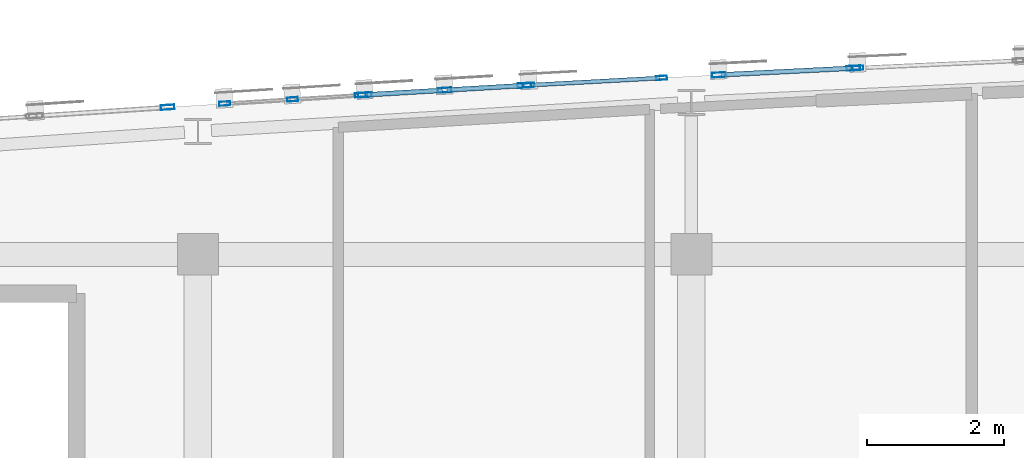
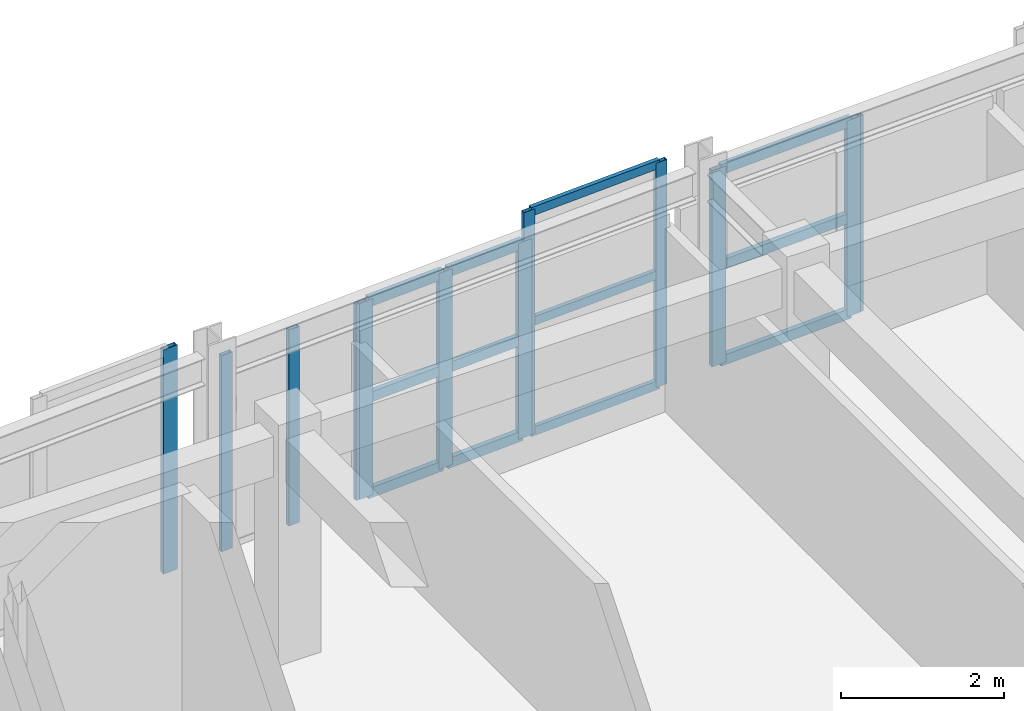
# One storey, part 13 of 45: 24 members, 6 elements without a shape of their own.
"""IFC4 building model written with IfcOpenShell, lengths in metres."""

from ifc_helpers import new_model, si_unit, direction, frame, origin, origin_2d, place, context, subcontext, project, spatial, hollow_rectangle, extrude, material, layer, layer_set, material_profile, profile_set, type_object, element, aggregate, save


model = new_model("IFC4")

# Units and contexts
model_context = context("Model", 3, precision=1e-05, world=origin(), true_north=direction((0.0, 1.0)))
body_context = subcontext(model_context, "Body", "Model", "MODEL_VIEW")
ifc_project = project(units=[si_unit("LENGTHUNIT", "METRE"), si_unit("AREAUNIT", "SQUARE_METRE"), si_unit("VOLUMEUNIT", "CUBIC_METRE"), si_unit("PLANEANGLEUNIT", "RADIAN"), si_unit("MASSUNIT", "GRAM", prefix="KILO")], contexts=[model_context])

# Site, building, storey
site_placement = place(None, origin())
site = spatial("IfcSite", under=ifc_project, at=site_placement, CompositionType="ELEMENT")
building_placement = place(site_placement, origin())
building = spatial("IfcBuilding", under=site, at=building_placement, Name="Carrowvane Square Congress Hotel", CompositionType="ELEMENT")
storey_placement = place(building_placement, frame((0.0, 0.0, 33.60009765625)))
storey = spatial("IfcBuildingStorey", under=building, at=storey_placement, Name="L08", CompositionType="ELEMENT", Elevation=33.60009765625)

# Curtain wall, members
ifc_material_1 = material(Name="Anodised aluminium", Category="aluminium")
ifc_layer_1 = layer(ifc_material_1, 0.23388671875)
ifc_layer_set_1 = layer_set([ifc_layer_1], Name="Anodised aluminium")
curtain_wall_type_1 = type_object("IfcCurtainWallType", Name="CW-SYS-7", PredefinedType="NOTDEFINED", material=ifc_layer_set_1)
curtain_wall_1_placement = place(storey_placement, origin())
curtain_wall_1 = element("IfcCurtainWall", 1, at=curtain_wall_1_placement, inside=storey, type_object=curtain_wall_type_1, Name="L08 unitised curtain wall 470", PredefinedType="NOTDEFINED")
ifc_material_2 = material(Name="Anodised aluminium", Category="aluminium")
ifc_material_profile_1 = material_profile(ifc_material_2, hollow_rectangle(XDim=0.06005859375, YDim=0.159912109375, WallThickness=0.00390625, at=origin_2d()), Name="CW-ML 60x160x4")
ifc_profile_set_1 = profile_set([ifc_material_profile_1], Name="Anodised aluminium")
member_type_1 = type_object("IfcMemberType", Name="CW-MUL-1", PredefinedType="MULLION", material=ifc_profile_set_1)
member_1_placement = place(storey_placement, frame((69.58984375, 115.5986328125, 0.0), z_axis=(0.0, 0.0, 1.0), x_axis=(-0.062397474952, 0.998051378998, 0.0)))
member_1 = element("IfcMember", 2, at=member_1_placement, type_object=member_type_1, Name="CW-7 mullion 1", PredefinedType="MULLION", context=body_context, shape_type="SweptSolid", body=[
    extrude(hollow_rectangle(XDim=0.06005859375, YDim=0.159912109375, WallThickness=0.00390625, at=origin_2d()), origin(), (0.0, 0.0, 1.0), 2.935546875),
])
member_2_placement = place(storey_placement, frame((70.580078125, 115.66064453125, 0.0), z_axis=(0.0, 0.0, 1.0), x_axis=(-0.062397474952, 0.998051378998, 0.0)))
member_2 = element("IfcMember", 3, at=member_2_placement, type_object=member_type_1, Name="CW-7 mullion 2", PredefinedType="MULLION", context=body_context, shape_type="SweptSolid", body=[
    extrude(hollow_rectangle(XDim=0.06005859375, YDim=0.159912109375, WallThickness=0.00390625, at=origin_2d()), origin(), (0.0, 0.0, 1.0), 2.935546875),
])
member_3_placement = place(storey_placement, frame((71.570068359375, 115.722412109375, 0.0), z_axis=(0.0, 0.0, 1.0), x_axis=(-0.062397474952, 0.998051378998, 0.0)))
member_3 = element("IfcMember", 4, at=member_3_placement, type_object=member_type_1, Name="CW-7 mullion 3", PredefinedType="MULLION", context=body_context, shape_type="SweptSolid", body=[
    extrude(hollow_rectangle(XDim=0.06005859375, YDim=0.159912109375, WallThickness=0.00390625, at=origin_2d()), origin(), (0.0, 0.0, 1.0), 2.935546875),
])
aggregate(curtain_wall_1, [member_1, member_2, member_3])

ifc_material_3 = material(Name="Anodised aluminium", Category="aluminium")
ifc_layer_2 = layer(ifc_material_3, 0.162109375)
ifc_layer_set_2 = layer_set([ifc_layer_2], Name="Anodised aluminium")
curtain_wall_type_2 = type_object("IfcCurtainWallType", Name="CW-SYS-1", PredefinedType="NOTDEFINED", material=ifc_layer_set_2)
curtain_wall_2_placement = place(storey_placement, origin())
curtain_wall_2 = element("IfcCurtainWall", 5, at=curtain_wall_2_placement, inside=storey, type_object=curtain_wall_type_2, Name="L08 unitised curtain wall 472", PredefinedType="NOTDEFINED")
member_4_placement = place(storey_placement, frame((74.030029296875, 115.867431640625, 0.0), z_axis=(0.0, 0.0, 1.0), x_axis=(-0.054815980317, 0.998496473856, 0.0)))
member_4 = element("IfcMember", 6, at=member_4_placement, type_object=member_type_1, Name="CW-1 mullion 1", PredefinedType="MULLION", context=body_context, shape_type="SweptSolid", body=[
    extrude(hollow_rectangle(XDim=0.06005859375, YDim=0.159912109375, WallThickness=0.00390625, at=origin_2d()), origin(), (0.0, 0.0, 1.0), 3.35986328125),
])
member_5_placement = place(storey_placement, frame((75.965576171875, 115.9736328125, 0.0), z_axis=(0.0, 0.0, 1.0), x_axis=(-0.054815980317, 0.998496473856, 0.0)))
member_5 = element("IfcMember", 7, at=member_5_placement, type_object=member_type_1, Name="CW-1 mullion 2", PredefinedType="MULLION", context=body_context, shape_type="SweptSolid", body=[
    extrude(hollow_rectangle(XDim=0.06005859375, YDim=0.159912109375, WallThickness=0.00390625, at=origin_2d()), origin(), (0.0, 0.0, 1.0), 3.35986328125),
])

# Curtain wall, member
ifc_material_4 = material(Name="Anodised aluminium", Category="aluminium")
ifc_layer_3 = layer(ifc_material_4, 0.18603515625)
ifc_layer_set_3 = layer_set([ifc_layer_3], Name="Anodised aluminium")
curtain_wall_type_3 = type_object("IfcCurtainWallType", Name="CW-SYS-3", PredefinedType="NOTDEFINED", material=ifc_layer_set_3)
curtain_wall_3_placement = place(storey_placement, origin())
curtain_wall_3 = element("IfcCurtainWall", 8, at=curtain_wall_3_placement, inside=storey, type_object=curtain_wall_type_3, Name="L08 unitised curtain wall 474", PredefinedType="NOTDEFINED")
member_6_placement = place(storey_placement, frame((78.830078125, 116.119873046875, 0.0), z_axis=(0.0, 0.0, 1.0), x_axis=(-0.045411059449, 0.998968385726, 0.0)))
member_6 = element("IfcMember", 9, at=member_6_placement, type_object=member_type_1, Name="CW-3 mullion 1", PredefinedType="MULLION", context=body_context, shape_type="SweptSolid", body=[
    extrude(hollow_rectangle(XDim=0.06005859375, YDim=0.159912109375, WallThickness=0.00390625, at=origin_2d()), origin(), (0.0, 0.0, 1.0), 2.935546875),
])
aggregate(curtain_wall_3, [member_6])

ifc_material_5 = material(Name="Anodised aluminium", Category="aluminium")
ifc_layer_4 = layer(ifc_material_5, 0.221923828125)
ifc_layer_set_4 = layer_set([ifc_layer_4], Name="Anodised aluminium")
curtain_wall_type_4 = type_object("IfcCurtainWallType", Name="CW-SYS-6", PredefinedType="NOTDEFINED", material=ifc_layer_set_4)
curtain_wall_4_placement = place(storey_placement, origin())
curtain_wall_4 = element("IfcCurtainWall", 10, at=curtain_wall_4_placement, inside=storey, type_object=curtain_wall_type_4, Name="L08 unitised curtain wall 469", PredefinedType="NOTDEFINED")
ifc_material_6 = material(Name="Anodised aluminium", Category="aluminium")
ifc_material_profile_2 = material_profile(ifc_material_6, hollow_rectangle(XDim=0.070068359375, YDim=0.199951171875, WallThickness=0.0048828125, at=origin_2d()), Name="CW-ML 70x200x5")
ifc_profile_set_2 = profile_set([ifc_material_profile_2], Name="Anodised aluminium")
member_type_2 = type_object("IfcMemberType", Name="CW-MUL-2", PredefinedType="MULLION", material=ifc_profile_set_2)
member_7_placement = place(storey_placement, frame((68.756591796875, 115.545166015625, 0.0), z_axis=(0.0, 0.0, 1.0), x_axis=(-0.065412223074, 0.997858327155, 0.0)))
member_7 = element("IfcMember", 11, at=member_7_placement, type_object=member_type_2, Name="CW-6 mullion 2", PredefinedType="MULLION", context=body_context, shape_type="SweptSolid", body=[
    extrude(hollow_rectangle(XDim=0.070068359375, YDim=0.199951171875, WallThickness=0.0048828125, at=origin_2d()), origin(), (0.0, 0.0, 1.0), 3.35986328125),
])
aggregate(curtain_wall_4, [member_7])

# Curtain wall, members
ifc_material_7 = material(Name="Anodised aluminium", Category="aluminium")
ifc_layer_5 = layer(ifc_material_7, 0.24609375)
ifc_layer_set_5 = layer_set([ifc_layer_5], Name="Anodised aluminium")
curtain_wall_type_5 = type_object("IfcCurtainWallType", Name="CW-SYS-8", PredefinedType="NOTDEFINED", material=ifc_layer_set_5)
curtain_wall_5_placement = place(storey_placement, origin())
curtain_wall_5 = element("IfcCurtainWall", 12, at=curtain_wall_5_placement, inside=storey, type_object=curtain_wall_type_5, Name="L08 unitised curtain wall 471", PredefinedType="NOTDEFINED")
member_8_placement = place(storey_placement, frame((71.635009765625, 115.726318359375, 0.0), z_axis=(0.0, 0.0, 1.0), x_axis=(-0.058851249486, 0.998266763162, 0.0)))
member_8 = element("IfcMember", 13, at=member_8_placement, type_object=member_type_2, Name="CW-8 mullion 1", PredefinedType="MULLION", context=body_context, shape_type="SweptSolid", body=[
    extrude(hollow_rectangle(XDim=0.070068359375, YDim=0.199951171875, WallThickness=0.0048828125, at=origin_2d()), origin(), (0.0, 0.0, 1.0), 2.935546875),
])
member_9_placement = place(storey_placement, frame((72.800048828125, 115.795166015625, 0.0), z_axis=(0.0, 0.0, 1.0), x_axis=(-0.058851249486, 0.998266763162, 0.0)))
member_9 = element("IfcMember", 14, at=member_9_placement, type_object=member_type_2, Name="CW-8 mullion 2", PredefinedType="MULLION", context=body_context, shape_type="SweptSolid", body=[
    extrude(hollow_rectangle(XDim=0.070068359375, YDim=0.199951171875, WallThickness=0.0048828125, at=origin_2d()), origin(), (0.0, 0.0, 1.0), 2.935546875),
])
member_10_placement = place(storey_placement, frame((73.965087890625, 115.86376953125, 0.0), z_axis=(0.0, 0.0, 1.0), x_axis=(-0.058851249486, 0.998266763162, 0.0)))
member_10 = element("IfcMember", 15, at=member_10_placement, type_object=member_type_2, Name="CW-8 mullion 3", PredefinedType="MULLION", context=body_context, shape_type="SweptSolid", body=[
    extrude(hollow_rectangle(XDim=0.070068359375, YDim=0.199951171875, WallThickness=0.0048828125, at=origin_2d()), origin(), (0.0, 0.0, 1.0), 2.935546875),
])

ifc_material_8 = material(Name="Anodised aluminium", Category="aluminium")
ifc_layer_6 = layer(ifc_material_8, 0.174072265625)
ifc_layer_set_6 = layer_set([ifc_layer_6], Name="Anodised aluminium")
curtain_wall_type_6 = type_object("IfcCurtainWallType", Name="CW-SYS-2", PredefinedType="NOTDEFINED", material=ifc_layer_set_6)
curtain_wall_6_placement = place(storey_placement, origin())
curtain_wall_6 = element("IfcCurtainWall", 16, at=curtain_wall_6_placement, inside=storey, type_object=curtain_wall_type_6, Name="L08 unitised curtain wall 473", PredefinedType="NOTDEFINED")
member_11_placement = place(storey_placement, frame((76.799560546875, 116.017822265625, 0.0), z_axis=(0.0, 0.0, 1.0), x_axis=(-0.050323791596, 0.998732955299, 0.0)))
member_11 = element("IfcMember", 17, at=member_11_placement, type_object=member_type_2, Name="CW-2 mullion 1", PredefinedType="MULLION", context=body_context, shape_type="SweptSolid", body=[
    extrude(hollow_rectangle(XDim=0.070068359375, YDim=0.199951171875, WallThickness=0.0048828125, at=origin_2d()), origin(), (0.0, 0.0, 1.0), 2.935546875),
])
member_12_placement = place(storey_placement, frame((78.764892578125, 116.11669921875, 0.0), z_axis=(0.0, 0.0, 1.0), x_axis=(-0.050323791596, 0.998732955299, 0.0)))
member_12 = element("IfcMember", 18, at=member_12_placement, type_object=member_type_2, Name="CW-2 mullion 2", PredefinedType="MULLION", context=body_context, shape_type="SweptSolid", body=[
    extrude(hollow_rectangle(XDim=0.070068359375, YDim=0.199951171875, WallThickness=0.0048828125, at=origin_2d()), origin(), (0.0, 0.0, 1.0), 2.935546875),
])

# Member
ifc_material_9 = material(Name="Anodised aluminium", Category="aluminium")
ifc_material_profile_3 = material_profile(ifc_material_9, hollow_rectangle(XDim=0.06005859375, YDim=0.1298828125, WallThickness=0.00390625, at=origin_2d()), Name="CW-TR 60x130x4")
ifc_profile_set_3 = profile_set([ifc_material_profile_3], Name="Anodised aluminium")
member_type_3 = type_object("IfcMemberType", Name="CW-TRN-1", PredefinedType="USERDEFINED", material=ifc_profile_set_3)
member_13_placement = place(storey_placement, frame((74.059814453125, 115.869140625, 0.02978515625), z_axis=(0.99849494655, 0.054843793758, 0.0), x_axis=(-0.054843793758, 0.99849494655, 0.0)))
member_13 = element("IfcMember", 19, at=member_13_placement, type_object=member_type_3, Name="CW-1 transom 1.1", ObjectType="TRANSOM", PredefinedType="USERDEFINED", context=body_context, shape_type="SweptSolid", body=[
    extrude(hollow_rectangle(XDim=0.06005859375, YDim=0.1298828125, WallThickness=0.00390625, at=origin_2d()), origin(), (0.0, 0.0, 1.0), 1.878662109375),
])

member_14_placement = place(storey_placement, frame((74.059814453125, 115.869140625, 1.679931640625), z_axis=(0.99849494655, 0.054843793758, 0.0), x_axis=(-0.054843793758, 0.99849494655, 0.0)))
member_14 = element("IfcMember", 20, at=member_14_placement, type_object=member_type_3, Name="CW-1 transom 1.2", ObjectType="TRANSOM", PredefinedType="USERDEFINED", context=body_context, shape_type="SweptSolid", body=[
    extrude(hollow_rectangle(XDim=0.06005859375, YDim=0.1298828125, WallThickness=0.00390625, at=origin_2d()), origin(), (0.0, 0.0, 1.0), 1.878662109375),
])

member_15_placement = place(storey_placement, frame((74.059814453125, 115.869140625, 3.329833984375), z_axis=(0.99849494655, 0.054843793758, 0.0), x_axis=(-0.054843793758, 0.99849494655, 0.0)))
member_15 = element("IfcMember", 21, at=member_15_placement, type_object=member_type_3, Name="CW-1 transom 1.3", ObjectType="TRANSOM", PredefinedType="USERDEFINED", context=body_context, shape_type="SweptSolid", body=[
    extrude(hollow_rectangle(XDim=0.06005859375, YDim=0.1298828125, WallThickness=0.00390625, at=origin_2d()), origin(), (0.0, 0.0, 1.0), 1.878662109375),
])

aggregate(curtain_wall_2, [member_4, member_5, member_13, member_14, member_15])

ifc_material_10 = material(Name="Anodised aluminium", Category="aluminium")
ifc_material_profile_4 = material_profile(ifc_material_10, hollow_rectangle(XDim=0.070068359375, YDim=0.14990234375, WallThickness=0.0048828125, at=origin_2d()), Name="CW-TR 70x150x5")
ifc_profile_set_4 = profile_set([ifc_material_profile_4], Name="Anodised aluminium")
member_type_4 = type_object("IfcMemberType", Name="CW-TRN-2", PredefinedType="USERDEFINED", material=ifc_profile_set_4)
member_16_placement = place(storey_placement, frame((71.669921875, 115.728515625, 0.034912109375), z_axis=(0.998272838139, 0.058748111741, 0.0), x_axis=(-0.058748111741, 0.998272838139, 0.0)))
member_16 = element("IfcMember", 22, at=member_16_placement, type_object=member_type_4, Name="CW-8 transom 1.1", ObjectType="TRANSOM", PredefinedType="USERDEFINED", context=body_context, shape_type="SweptSolid", body=[
    extrude(hollow_rectangle(XDim=0.070068359375, YDim=0.14990234375, WallThickness=0.0048828125, at=origin_2d()), origin(), (0.0, 0.0, 1.0), 1.09716796875),
])

member_17_placement = place(storey_placement, frame((71.669921875, 115.728515625, 1.4677734375), z_axis=(0.998272838139, 0.058748111741, 0.0), x_axis=(-0.058748111741, 0.998272838139, 0.0)))
member_17 = element("IfcMember", 23, at=member_17_placement, type_object=member_type_4, Name="CW-8 transom 1.2", ObjectType="TRANSOM", PredefinedType="USERDEFINED", context=body_context, shape_type="SweptSolid", body=[
    extrude(hollow_rectangle(XDim=0.070068359375, YDim=0.14990234375, WallThickness=0.0048828125, at=origin_2d()), origin(), (0.0, 0.0, 1.0), 1.09716796875),
])

member_18_placement = place(storey_placement, frame((71.669921875, 115.728515625, 2.900390625), z_axis=(0.998272838139, 0.058748111741, 0.0), x_axis=(-0.058748111741, 0.998272838139, 0.0)))
member_18 = element("IfcMember", 24, at=member_18_placement, type_object=member_type_4, Name="CW-8 transom 1.3", ObjectType="TRANSOM", PredefinedType="USERDEFINED", context=body_context, shape_type="SweptSolid", body=[
    extrude(hollow_rectangle(XDim=0.070068359375, YDim=0.14990234375, WallThickness=0.0048828125, at=origin_2d()), origin(), (0.0, 0.0, 1.0), 1.09716796875),
])

member_19_placement = place(storey_placement, frame((72.8349609375, 115.797119140625, 0.034912109375), z_axis=(0.998259762999, 0.058969870084, 0.0), x_axis=(-0.058969870084, 0.998259762999, 0.0)))
member_19 = element("IfcMember", 25, at=member_19_placement, type_object=member_type_4, Name="CW-8 transom 2.1", ObjectType="TRANSOM", PredefinedType="USERDEFINED", context=body_context, shape_type="SweptSolid", body=[
    extrude(hollow_rectangle(XDim=0.070068359375, YDim=0.14990234375, WallThickness=0.0048828125, at=origin_2d()), origin(), (0.0, 0.0, 1.0), 1.09716796875),
])

member_20_placement = place(storey_placement, frame((72.8349609375, 115.797119140625, 1.4677734375), z_axis=(0.998259762999, 0.058969870084, 0.0), x_axis=(-0.058969870084, 0.998259762999, 0.0)))
member_20 = element("IfcMember", 26, at=member_20_placement, type_object=member_type_4, Name="CW-8 transom 2.2", ObjectType="TRANSOM", PredefinedType="USERDEFINED", context=body_context, shape_type="SweptSolid", body=[
    extrude(hollow_rectangle(XDim=0.070068359375, YDim=0.14990234375, WallThickness=0.0048828125, at=origin_2d()), origin(), (0.0, 0.0, 1.0), 1.09716796875),
])

member_21_placement = place(storey_placement, frame((72.8349609375, 115.797119140625, 2.900390625), z_axis=(0.998259762999, 0.058969870084, 0.0), x_axis=(-0.058969870084, 0.998259762999, 0.0)))
member_21 = element("IfcMember", 27, at=member_21_placement, type_object=member_type_4, Name="CW-8 transom 2.3", ObjectType="TRANSOM", PredefinedType="USERDEFINED", context=body_context, shape_type="SweptSolid", body=[
    extrude(hollow_rectangle(XDim=0.070068359375, YDim=0.14990234375, WallThickness=0.0048828125, at=origin_2d()), origin(), (0.0, 0.0, 1.0), 1.09716796875),
])

aggregate(curtain_wall_5, [member_8, member_9, member_10, member_16, member_17, member_18, member_19, member_20, member_21])

member_22_placement = place(storey_placement, frame((76.83447265625, 116.01953125, 0.034912109375), z_axis=(0.998734310046, 0.050296897891, 0.0), x_axis=(-0.050296897891, 0.998734310046, 0.0)))
member_22 = element("IfcMember", 28, at=member_22_placement, type_object=member_type_4, Name="CW-2 transom 1.1", ObjectType="TRANSOM", PredefinedType="USERDEFINED", context=body_context, shape_type="SweptSolid", body=[
    extrude(hollow_rectangle(XDim=0.070068359375, YDim=0.14990234375, WallThickness=0.0048828125, at=origin_2d()), origin(), (0.0, 0.0, 1.0), 1.89794921875),
])

member_23_placement = place(storey_placement, frame((76.83447265625, 116.01953125, 1.4677734375), z_axis=(0.998734310046, 0.050296897891, 0.0), x_axis=(-0.050296897891, 0.998734310046, 0.0)))
member_23 = element("IfcMember", 29, at=member_23_placement, type_object=member_type_4, Name="CW-2 transom 1.2", ObjectType="TRANSOM", PredefinedType="USERDEFINED", context=body_context, shape_type="SweptSolid", body=[
    extrude(hollow_rectangle(XDim=0.070068359375, YDim=0.14990234375, WallThickness=0.0048828125, at=origin_2d()), origin(), (0.0, 0.0, 1.0), 1.89794921875),
])

member_24_placement = place(storey_placement, frame((76.83447265625, 116.01953125, 2.900390625), z_axis=(0.998734310046, 0.050296897891, 0.0), x_axis=(-0.050296897891, 0.998734310046, 0.0)))
member_24 = element("IfcMember", 30, at=member_24_placement, type_object=member_type_4, Name="CW-2 transom 1.3", ObjectType="TRANSOM", PredefinedType="USERDEFINED", context=body_context, shape_type="SweptSolid", body=[
    extrude(hollow_rectangle(XDim=0.070068359375, YDim=0.14990234375, WallThickness=0.0048828125, at=origin_2d()), origin(), (0.0, 0.0, 1.0), 1.89794921875),
])

aggregate(curtain_wall_6, [member_11, member_12, member_22, member_23, member_24])

save(model, "model.ifc")
